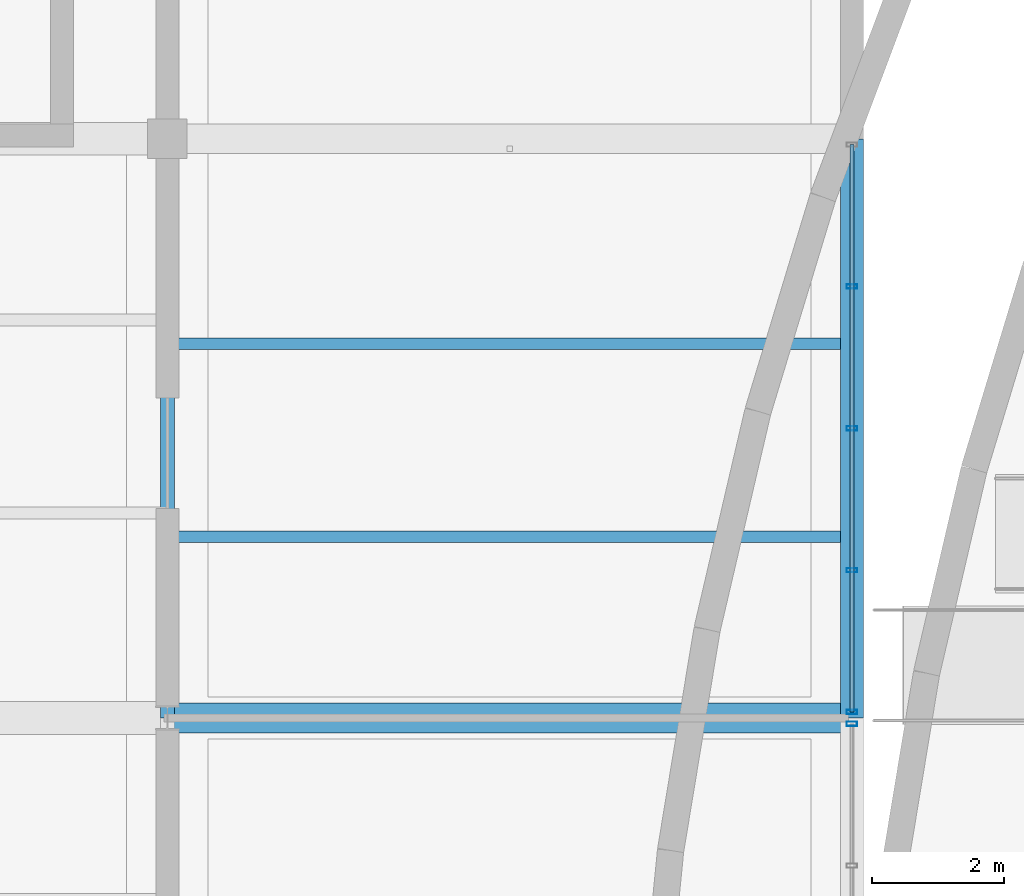
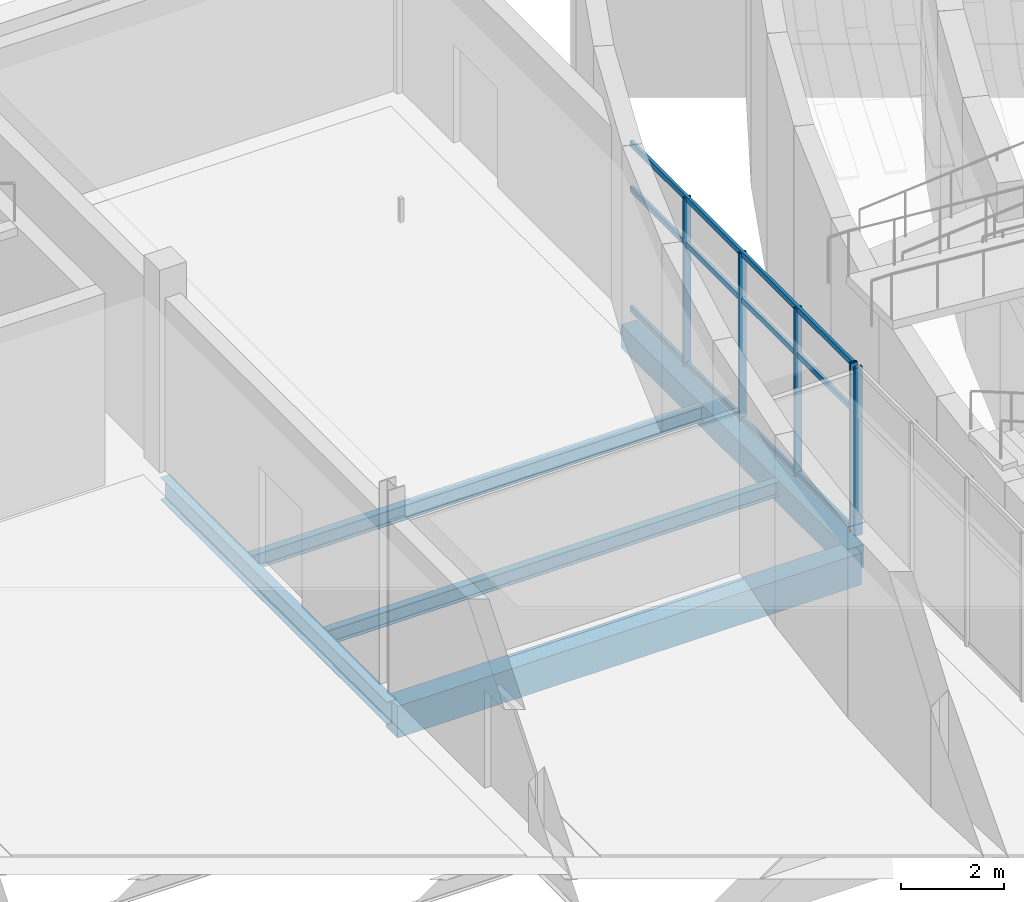
# One storey, part 61 of 116: 8 members, 5 beams, 2 elements without a shape of their own.
"""IFC4 building model written with IfcOpenShell, lengths in metres."""

import ifcopenshell
import ifcopenshell.guid

model = None  # the IFC model being written
_history = None  # IfcOwnerHistory: only IFC2X3 demands one
_inside = {}  # id of a spatial element -> (the spatial element, [elements in it])
_under = {}  # id of a project, library or spatial element -> (it, [spatial elements below it])
_declared = {}  # id of a project -> (the project, [libraries it declares])
_typed = {}  # id of a type object -> (the type object, [elements of that type])
_made_of = {}  # id of a material, layer set ... -> (it, [elements and type objects made of it])


def new_model(schema):
    """Start an empty IFC model of exactly this schema.

    Asked for "IFC4X3", IfcOpenShell would pick the latest addendum, in which some entities
    have other attributes; the version numbers below select the first issue.
    IFC2X3 requires an IfcOwnerHistory on every rooted entity: one is made here for all.
    """
    global model, _history
    if schema == "IFC4X3":
        model = ifcopenshell.file(schema_version=(4, 3, 0, 0))
    else:
        model = ifcopenshell.file(schema=schema)
    _inside.clear()
    _under.clear()
    _declared.clear()
    _typed.clear()
    _made_of.clear()
    _history = None
    if model.schema == "IFC2X3":
        org = make("IfcOrganization", Name="unknown")
        user = make(
            "IfcPersonAndOrganization",
            ThePerson=make("IfcPerson", FamilyName="unknown"),
            TheOrganization=org,
        )
        app = make(
            "IfcApplication",
            ApplicationDeveloper=org,
            Version="unknown",
            ApplicationFullName="unknown",
            ApplicationIdentifier="unknown",
        )
        _history = make(
            "IfcOwnerHistory",
            OwningUser=user,
            OwningApplication=app,
            ChangeAction="ADDED",
            CreationDate=0,
        )
    return model


def make(cls, **values):
    """One entity of the class cls with the attributes given. An attribute that is None is left unset."""
    return model.create_entity(
        cls, **{name: value for name, value in values.items() if value is not None}
    )


def rooted(cls, **values):
    """An entity with a GlobalId (a new one), such as an element, a storey or a relation."""
    return make(cls, GlobalId=ifcopenshell.guid.new(), OwnerHistory=_history, **values)


def si_unit(unit_type, name, prefix=None):
    """IfcSIUnit, for example si_unit("LENGTHUNIT", "METRE", prefix="MILLI")."""
    return make("IfcSIUnit", UnitType=unit_type, Prefix=prefix, Name=name)


def assignment(units):
    """IfcUnitAssignment: the units of a project."""
    return None if units is None else make("IfcUnitAssignment", Units=units)


def point(xyz):
    """IfcCartesianPoint."""
    return None if xyz is None else make("IfcCartesianPoint", Coordinates=xyz)


def direction(xyz):
    """IfcDirection."""
    return None if xyz is None else make("IfcDirection", DirectionRatios=xyz)


def frame(location, z_axis=None, x_axis=None):
    """IfcAxis2Placement3D, a coordinate frame: its origin and axes. An axis left out is left unset."""
    return make(
        "IfcAxis2Placement3D",
        Location=point(location),
        Axis=direction(z_axis),
        RefDirection=direction(x_axis),
    )


def frame_2d(location, x_axis=None):
    """IfcAxis2Placement2D, a coordinate frame in the plane: its origin and x axis."""
    return make(
        "IfcAxis2Placement2D", Location=point(location), RefDirection=direction(x_axis)
    )


def origin():
    """The frame at (0, 0, 0) with its axes left unset."""
    return frame((0.0, 0.0, 0.0))


def origin_2d():
    """The frame at (0, 0) in the plane with its x axis left unset."""
    return frame_2d((0.0, 0.0))


def place(relative_to, where):
    """IfcLocalPlacement: puts the frame where relative to a parent placement (None: the world)."""
    return make(
        "IfcLocalPlacement", PlacementRelTo=relative_to, RelativePlacement=where
    )


def context(
    kind, dimensions, precision=None, world=None, true_north=None, identifier=None
):
    """IfcGeometricRepresentationContext, for example the 3D "Model" context."""
    return make(
        "IfcGeometricRepresentationContext",
        ContextIdentifier=identifier,
        ContextType=kind,
        CoordinateSpaceDimension=dimensions,
        Precision=precision,
        WorldCoordinateSystem=world,
        TrueNorth=true_north,
    )


def subcontext(parent, identifier, kind, view, scale=None):
    """IfcGeometricRepresentationSubContext, for example "Body" below "Model"."""
    return make(
        "IfcGeometricRepresentationSubContext",
        ContextIdentifier=identifier,
        ContextType=kind,
        ParentContext=parent,
        TargetScale=scale,
        TargetView=view,
    )


def project(units=None, contexts=None):
    """IfcProject with its units and contexts."""
    return rooted(
        "IfcProject",
        Name="project",
        RepresentationContexts=contexts,
        UnitsInContext=assignment(units),
    )


def spatial(cls, under=None, at=None, **own):
    """A site, building, storey or space (cls), placed at a placement, below another one or the project."""
    s = rooted(cls, ObjectPlacement=at, **own)
    if under is not None:
        _under.setdefault(under.id(), (under, []))[1].append(s)
    return s


def profile(cls, at=None, kind="AREA", **sizes):
    """A parametric profile (cls). Its sizes go by their IFC names, for example OverallWidth=200.0."""
    return make(cls, ProfileType=kind, Position=at, **sizes)


def rectangle(**sizes):
    """IfcRectangleProfileDef."""
    return profile("IfcRectangleProfileDef", **sizes)


def hollow_rectangle(**sizes):
    """IfcRectangleHollowProfileDef."""
    return profile("IfcRectangleHollowProfileDef", **sizes)


def i_section(**sizes):
    """IfcIShapeProfileDef."""
    return profile("IfcIShapeProfileDef", **sizes)


def extrude(swept, where, along, depth):
    """IfcExtrudedAreaSolid: the profile swept, set in the frame where, extruded along a direction by depth."""
    return make(
        "IfcExtrudedAreaSolid",
        SweptArea=swept,
        Position=where,
        ExtrudedDirection=direction(along),
        Depth=depth,
    )


def shape(context_of_items, identifier, shape_type, items):
    """IfcShapeRepresentation: the items that make up one representation, for example the "Body"."""
    return make(
        "IfcShapeRepresentation",
        ContextOfItems=context_of_items,
        RepresentationIdentifier=identifier,
        RepresentationType=shape_type,
        Items=items,
    )


def material(Name=None, Category=None):
    """IfcMaterial."""
    return make("IfcMaterial", Name=Name, Category=Category)


def layer(
    of_material, thickness, ventilated=None, Name=None, Category=None, Priority=None
):
    """IfcMaterialLayer: one layer of a wall or slab, of a material (None: an air gap)."""
    return make(
        "IfcMaterialLayer",
        Material=of_material,
        LayerThickness=thickness,
        IsVentilated=ventilated,
        Name=Name,
        Category=Category,
        Priority=Priority,
    )


def layer_set(layers, Name=None):
    """IfcMaterialLayerSet."""
    return make("IfcMaterialLayerSet", MaterialLayers=layers, LayerSetName=Name)


def material_profile(
    of_material, cross_section, Name=None, Category=None, Priority=None
):
    """IfcMaterialProfile: a cross section and its material."""
    return make(
        "IfcMaterialProfile",
        Name=Name,
        Material=of_material,
        Profile=cross_section,
        Priority=Priority,
        Category=Category,
    )


def profile_set(profiles, Name=None, composite=None):
    """IfcMaterialProfileSet."""
    return make(
        "IfcMaterialProfileSet",
        Name=Name,
        MaterialProfiles=profiles,
        CompositeProfile=composite,
    )


def made_of(thing, what):
    """Note that an element or type object is made of a material, layer set ...; save() writes the relation."""
    if what is not None:
        _made_of.setdefault(what.id(), (what, []))[1].append(thing)
    return thing


def type_object(cls, material=None, **own):
    """A type object (cls), such as IfcWallType, which elements share."""
    return made_of(rooted(cls, **own), material)


def element(
    cls,
    number,
    at=None,
    inside=None,
    cuts=None,
    type_object=None,
    material=None,
    context=None,
    identifier="Body",
    shape_type=None,
    held_by="IfcProductDefinitionShape",
    body=None,
    shapes=None,
    **own,
):
    """One element of the class cls, such as IfcWall. Its Tag is "e" and its number.

    at: its placement. inside: the storey or other place that contains it. cuts: it is an
    opening in that element (IfcRelVoidsElement). A single representation is given by context,
    identifier, shape_type and body (its items); several are given by shapes. held_by: the class
    of the entity that holds the representations. save() writes the other relations.
    """
    e = rooted(cls, Tag="e%d" % number, ObjectPlacement=at, **own)
    if body is not None:
        shapes = [shape(context, identifier, shape_type, body)]
    if shapes is not None:
        e.Representation = make(held_by, Representations=shapes)
    if inside is not None:
        _inside.setdefault(inside.id(), (inside, []))[1].append(e)
    if cuts is not None:
        rooted(
            "IfcRelVoidsElement", RelatingBuildingElement=cuts, RelatedOpeningElement=e
        )
    if type_object is not None:
        _typed.setdefault(type_object.id(), (type_object, []))[1].append(e)
    return made_of(e, material)


def aggregate(whole, parts):
    """IfcRelAggregates: a whole, such as a stair, and the parts it consists of."""
    return rooted("IfcRelAggregates", RelatingObject=whole, RelatedObjects=parts)


def save(model, path):
    """Write the relations noted so far, then the file.

    IfcRelAggregates (storeys below a building ...), IfcRelContainedInSpatialStructure (elements
    in a storey), IfcRelDefinesByType, IfcRelAssociatesMaterial and IfcRelDeclares: one each for
    every whole, place, type object, material and project.
    """
    for whole, parts in _under.values():
        aggregate(whole, parts)
    for where, things in _inside.values():
        rooted(
            "IfcRelContainedInSpatialStructure",
            RelatedElements=things,
            RelatingStructure=where,
        )
    for kind, things in _typed.values():
        rooted("IfcRelDefinesByType", RelatedObjects=things, RelatingType=kind)
    for what, things in _made_of.values():
        rooted("IfcRelAssociatesMaterial", RelatedObjects=things, RelatingMaterial=what)
    for by, libraries in _declared.values():
        rooted("IfcRelDeclares", RelatingContext=by, RelatedDefinitions=libraries)
    model.write(path)


model = new_model("IFC4")

# Units and contexts
model_context = context("Model", 3, precision=1e-05, world=origin(), true_north=direction((0.0, 1.0)))
body_context = subcontext(model_context, "Body", "Model", "MODEL_VIEW")
ifc_project = project(units=[si_unit("LENGTHUNIT", "METRE"), si_unit("AREAUNIT", "SQUARE_METRE"), si_unit("VOLUMEUNIT", "CUBIC_METRE"), si_unit("PLANEANGLEUNIT", "RADIAN"), si_unit("MASSUNIT", "GRAM", prefix="KILO")], contexts=[model_context])

# Site, building, storey
site_placement = place(None, origin())
site = spatial("IfcSite", under=ifc_project, at=site_placement, CompositionType="ELEMENT")
building_placement = place(site_placement, origin())
building = spatial("IfcBuilding", under=site, at=building_placement, Name="Chalmorin Arch Market", CompositionType="ELEMENT")
storey_placement = place(building_placement, origin())
storey = spatial("IfcBuildingStorey", under=building, at=storey_placement, Name="L00", CompositionType="ELEMENT", Elevation=0.0)

# Beam
ifc_material_1 = material(Name="Concrete C40/50", Category="concrete")
ifc_material_profile_1 = material_profile(ifc_material_1, rectangle(XDim=0.449951171875, YDim=0.75, at=origin_2d()), Name="RC450X750")
ifc_profile_set_1 = profile_set([ifc_material_profile_1], Name="Concrete C40/50")
beam_type_1 = type_object("IfcBeamType", Name="BasementConcreteGirder-450x750", PredefinedType="BEAM", material=ifc_profile_set_1)
beam_1_placement = place(storey_placement, frame((124.800048828125, 41.199951171875, -0.72705078125), z_axis=(1.0, 0.0, 0.0), x_axis=(0.0, 1.0, 0.0)))
element("IfcBeam", 1, at=beam_1_placement, inside=storey, type_object=beam_type_1, Name="BG-RC2-0528", PredefinedType="BEAM", context=body_context, shape_type="SweptSolid", body=[
    extrude(rectangle(XDim=0.449951171875, YDim=0.75, at=origin_2d()), origin(), (0.0, 0.0, 1.0), 10.39990234375),
])

# Curtain wall, member
ifc_material_2 = material(Name="Aluminium 6063-T6", Category="aluminium")
ifc_layer = layer(ifc_material_2, 0.159912109375)
ifc_layer_set = layer_set([ifc_layer], Name="Aluminium 6063-T6")
curtain_wall_type = type_object("IfcCurtainWallType", Name="RiverfrontStorefrontCurtainWall-CW2-8620x3990", PredefinedType="NOTDEFINED", material=ifc_layer_set)
curtain_wall_1_placement = place(storey_placement, origin())
curtain_wall_1 = element("IfcCurtainWall", 2, at=curtain_wall_1_placement, inside=storey, type_object=curtain_wall_type, Name="CW-02-193", PredefinedType="NOTDEFINED")
ifc_material_profile_2 = material_profile(ifc_material_2, hollow_rectangle(XDim=0.06494140625, YDim=0.159912109375, WallThickness=0.00390625, at=origin_2d()), Name="ALU65X160X4")
ifc_profile_set_2 = profile_set([ifc_material_profile_2], Name="Aluminium 6063-T6")
member_type_1 = type_object("IfcMemberType", Name="CurtainWallMullion-65x160", PredefinedType="MULLION", material=ifc_profile_set_2)
member_1_placement = place(storey_placement, frame((135.199951171875, 41.110107421875, 0.0), z_axis=(0.0, 0.0, 1.0), x_axis=(0.0, 1.0, 0.0)))
member_1 = element("IfcMember", 3, at=member_1_placement, type_object=member_type_1, Name="ML-193-05", PredefinedType="MULLION", context=body_context, shape_type="SweptSolid", body=[
    extrude(hollow_rectangle(XDim=0.06494140625, YDim=0.159912109375, WallThickness=0.00390625, at=origin_2d()), origin(), (0.0, 0.0, 1.0), 3.986083984375),
])
aggregate(curtain_wall_1, [member_1])

# Curtain wall, members
curtain_wall_2_placement = place(storey_placement, origin())
curtain_wall_2 = element("IfcCurtainWall", 4, at=curtain_wall_2_placement, inside=storey, type_object=curtain_wall_type, Name="CW-02-194", PredefinedType="NOTDEFINED")
member_2_placement = place(storey_placement, frame((135.199951171875, 41.2900390625, 0.0), z_axis=(0.0, 0.0, 1.0), x_axis=(0.0, 1.0, 0.0)))
member_2 = element("IfcMember", 5, at=member_2_placement, type_object=member_type_1, Name="ML-194-01", PredefinedType="MULLION", context=body_context, shape_type="SweptSolid", body=[
    extrude(hollow_rectangle(XDim=0.06494140625, YDim=0.159912109375, WallThickness=0.00390625, at=origin_2d()), origin(), (0.0, 0.0, 1.0), 3.986083984375),
])
member_3_placement = place(storey_placement, frame((135.199951171875, 43.445068359375, 0.0), z_axis=(0.0, 0.0, 1.0), x_axis=(0.0, 1.0, 0.0)))
member_3 = element("IfcMember", 6, at=member_3_placement, type_object=member_type_1, Name="ML-194-02", PredefinedType="MULLION", context=body_context, shape_type="SweptSolid", body=[
    extrude(hollow_rectangle(XDim=0.06494140625, YDim=0.159912109375, WallThickness=0.00390625, at=origin_2d()), origin(), (0.0, 0.0, 1.0), 3.986083984375),
])
member_4_placement = place(storey_placement, frame((135.199951171875, 45.60009765625, 0.0), z_axis=(0.0, 0.0, 1.0), x_axis=(0.0, 1.0, 0.0)))
member_4 = element("IfcMember", 7, at=member_4_placement, type_object=member_type_1, Name="ML-194-03", PredefinedType="MULLION", context=body_context, shape_type="SweptSolid", body=[
    extrude(hollow_rectangle(XDim=0.06494140625, YDim=0.159912109375, WallThickness=0.00390625, at=origin_2d()), origin(), (0.0, 0.0, 1.0), 3.986083984375),
])
member_5_placement = place(storey_placement, frame((135.199951171875, 47.7548828125, 0.0), z_axis=(0.0, 0.0, 1.0), x_axis=(0.0, 1.0, 0.0)))
member_5 = element("IfcMember", 8, at=member_5_placement, type_object=member_type_1, Name="ML-194-04", PredefinedType="MULLION", context=body_context, shape_type="SweptSolid", body=[
    extrude(hollow_rectangle(XDim=0.06494140625, YDim=0.159912109375, WallThickness=0.00390625, at=origin_2d()), origin(), (0.0, 0.0, 1.0), 3.986083984375),
])
ifc_material_profile_3 = material_profile(ifc_material_2, hollow_rectangle(XDim=0.06494140625, YDim=0.1298828125, WallThickness=0.00390625, at=origin_2d()), Name="ALU65X130X4")
ifc_profile_set_3 = profile_set([ifc_material_profile_3], Name="Aluminium 6063-T6")
member_type_2 = type_object("IfcMemberType", Name="CurtainWallTransom-65x130", PredefinedType="USERDEFINED", material=ifc_profile_set_3)
member_6_placement = place(storey_placement, frame((135.199951171875, 41.2900390625, 0.034912109375), z_axis=(0.0, 1.0, 0.0), x_axis=(-1.0, 0.0, 0.0)))
member_6 = element("IfcMember", 9, at=member_6_placement, type_object=member_type_2, Name="TR-194-01", ObjectType="TRANSOM", PredefinedType="USERDEFINED", context=body_context, shape_type="SweptSolid", body=[
    extrude(hollow_rectangle(XDim=0.06494140625, YDim=0.1298828125, WallThickness=0.00390625, at=origin_2d()), origin(), (0.0, 0.0, 1.0), 8.619873046875),
])
member_7_placement = place(storey_placement, frame((135.199951171875, 41.2900390625, 2.869873046875), z_axis=(0.0, 1.0, 0.0), x_axis=(-1.0, 0.0, 0.0)))
member_7 = element("IfcMember", 10, at=member_7_placement, type_object=member_type_2, Name="TR-194-02", ObjectType="TRANSOM", PredefinedType="USERDEFINED", context=body_context, shape_type="SweptSolid", body=[
    extrude(hollow_rectangle(XDim=0.06494140625, YDim=0.1298828125, WallThickness=0.00390625, at=origin_2d()), origin(), (0.0, 0.0, 1.0), 8.619873046875),
])
member_8_placement = place(storey_placement, frame((135.199951171875, 41.2900390625, 3.950927734375), z_axis=(0.0, 1.0, 0.0), x_axis=(-1.0, 0.0, 0.0)))
member_8 = element("IfcMember", 11, at=member_8_placement, type_object=member_type_2, Name="TR-194-03", ObjectType="TRANSOM", PredefinedType="USERDEFINED", context=body_context, shape_type="SweptSolid", body=[
    extrude(hollow_rectangle(XDim=0.06494140625, YDim=0.1298828125, WallThickness=0.00390625, at=origin_2d()), origin(), (0.0, 0.0, 1.0), 8.619873046875),
])
aggregate(curtain_wall_2, [member_2, member_3, member_4, member_5, member_6, member_7, member_8])

# Beams
ifc_material_3 = material(Name="Steel A992 Grade 50", Category="steel")
ifc_material_profile_4 = material_profile(ifc_material_3, i_section(OverallWidth=0.208984375, OverallDepth=0.532958984375, WebThickness=0.01025390625, FlangeThickness=0.015625, FilletRadius=0.02197265625, at=origin_2d()), Name="W21X62")
ifc_profile_set_4 = profile_set([ifc_material_profile_4], Name="Steel A992 Grade 50")
beam_type_2 = type_object("IfcBeamType", Name="PerimeterSpandrelBeam-W21X62", PredefinedType="SPANDREL", material=ifc_profile_set_4)
beam_2_placement = place(storey_placement, frame((124.800048828125, 41.199951171875, -0.618408203125), z_axis=(0.0, 1.0, 0.0), x_axis=(-1.0, 0.0, 0.0)))
element("IfcBeam", 12, at=beam_2_placement, inside=storey, type_object=beam_type_2, Name="SP-W21-0108", PredefinedType="SPANDREL", context=body_context, shape_type="SweptSolid", body=[
    extrude(i_section(OverallWidth=0.208984375, OverallDepth=0.532958984375, WebThickness=0.01025390625, FlangeThickness=0.015625, FilletRadius=0.02197265625, at=origin_2d()), origin(), (0.0, 0.0, 1.0), 8.800048828125),
])
ifc_material_profile_5 = material_profile(ifc_material_3, i_section(OverallWidth=0.1708984375, OverallDepth=0.35107421875, WebThickness=0.0068359375, FlangeThickness=0.009765625, FilletRadius=0.014892578125, at=origin_2d()), Name="W14X30")
ifc_profile_set_5 = profile_set([ifc_material_profile_5], Name="Steel A992 Grade 50")
beam_type_3 = type_object("IfcBeamType", Name="SecondaryFloorJoist-W14X30", PredefinedType="JOIST", material=ifc_profile_set_5)
for number, where, z_axis, x_axis, name in (
    (13, (124.800048828125, 43.953369140625, -0.527587890625), (1.0, 0.0, 0.0), (0.0, 1.0, 0.0), "BJ-W14-0542"),
    (14, (124.800048828125, 46.88671875, -0.527587890625), (1.0, 0.0, 0.0), (0.0, 1.0, 0.0), "BJ-W14-0543"),
):
    element("IfcBeam", number, at=place(storey_placement, frame(where, z_axis=z_axis, x_axis=x_axis)), inside=storey, type_object=beam_type_3, Name=name, PredefinedType="JOIST", context=body_context, shape_type="SweptSolid", body=[
        extrude(i_section(OverallWidth=0.1708984375, OverallDepth=0.35107421875, WebThickness=0.0068359375, FlangeThickness=0.009765625, FilletRadius=0.014892578125, at=origin_2d()), origin(), (0.0, 0.0, 1.0), 10.39990234375),
    ])
ifc_material_profile_6 = material_profile(ifc_material_1, rectangle(XDim=0.35009765625, YDim=0.550048828125, at=origin_2d()), Name="RC350X550")
ifc_profile_set_6 = profile_set([ifc_material_profile_6], Name="Concrete C40/50")
beam_type_4 = type_object("IfcBeamType", Name="TerraceEdgeBeam-350x550", PredefinedType="SPANDREL", material=ifc_profile_set_6)
beam_3_placement = place(storey_placement, frame((135.199951171875, 41.199951171875, -0.626953125), z_axis=(0.0, 1.0, 0.0), x_axis=(-1.0, 0.0, 0.0)))
element("IfcBeam", 15, at=beam_3_placement, inside=storey, type_object=beam_type_4, Name="SP-RC1-0531", PredefinedType="SPANDREL", context=body_context, shape_type="SweptSolid", body=[
    extrude(rectangle(XDim=0.35009765625, YDim=0.550048828125, at=origin_2d()), origin(), (0.0, 0.0, 1.0), 8.800048828125),
])

save(model, "model.ifc")
